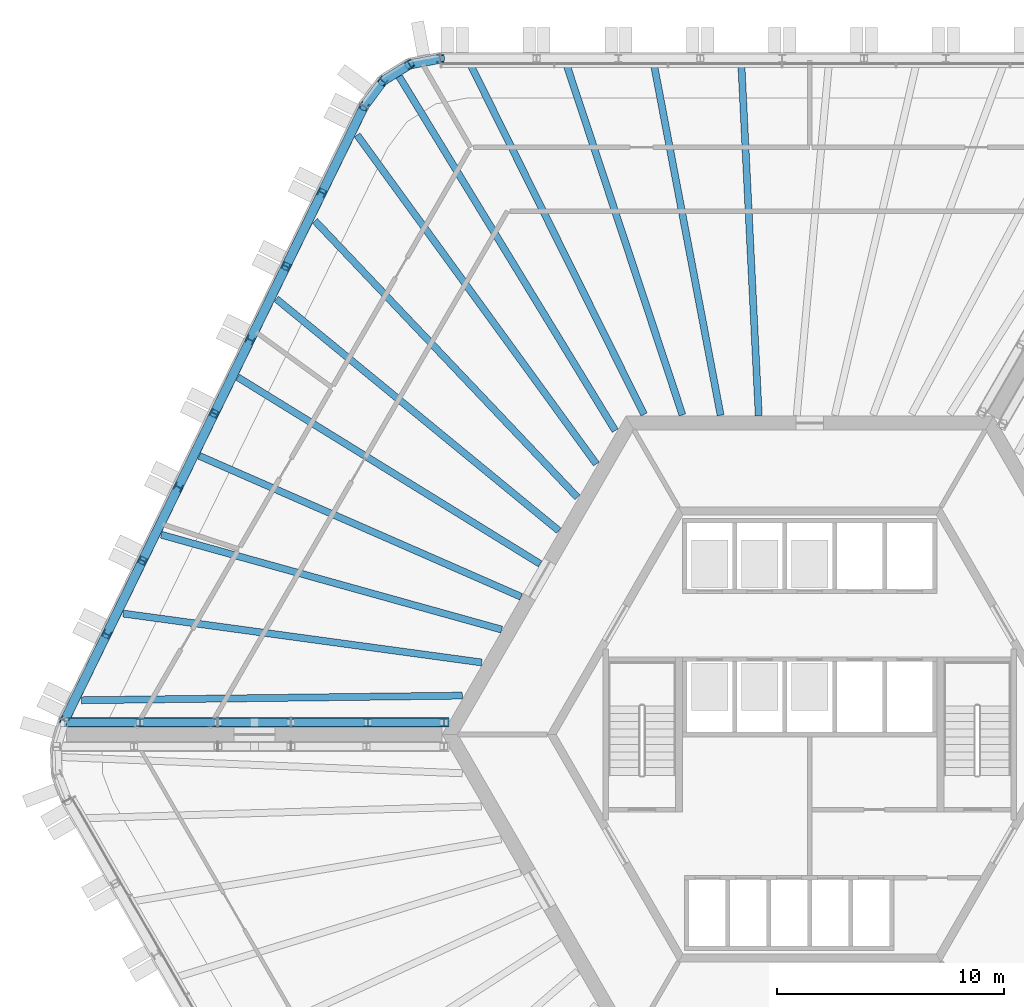
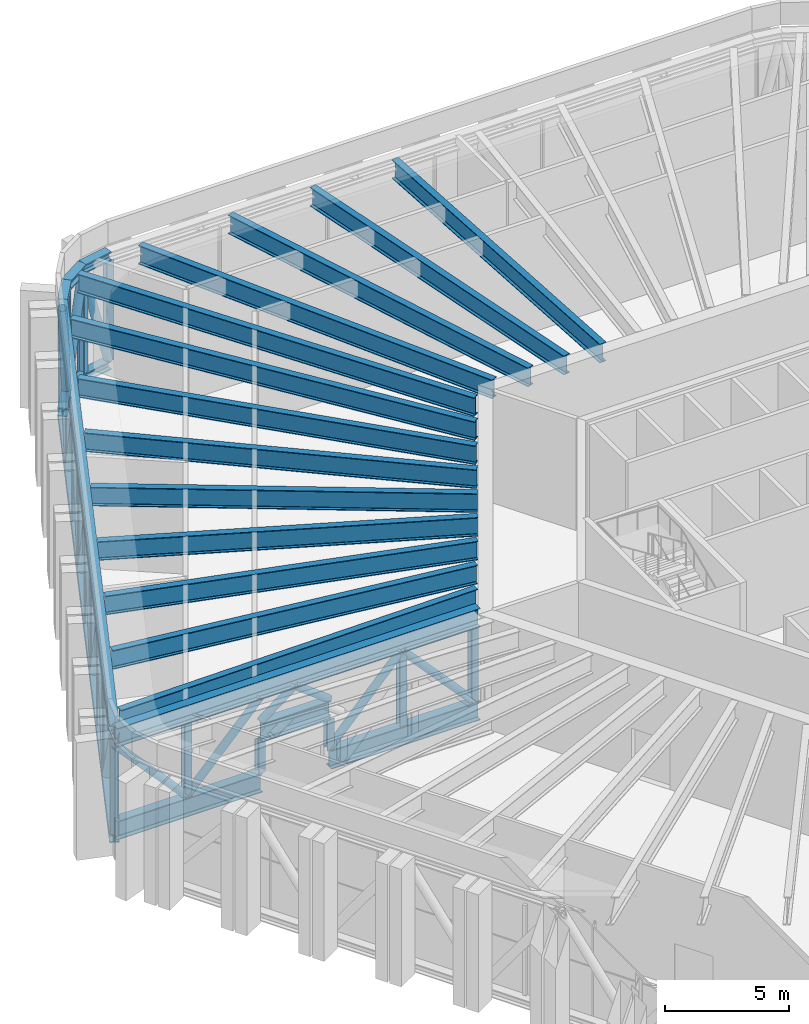
# One storey, part 6 of 27: 46 members, 13 beams.
"""IFC4 building model written with IfcOpenShell, lengths in metres."""

from ifc_helpers import new_model, si_unit, direction, frame, origin, origin_2d, place, context, subcontext, project, spatial, hollow_circle, i_section, extrude, material, material_profile, profile_set, type_object, element, save


model = new_model("IFC4")

# Units and contexts
model_context = context("Model", 3, precision=1e-05, world=origin(), true_north=direction((0.0, 1.0)))
body_context = subcontext(model_context, "Body", "Model", "MODEL_VIEW")
ifc_project = project(units=[si_unit("LENGTHUNIT", "METRE"), si_unit("AREAUNIT", "SQUARE_METRE"), si_unit("VOLUMEUNIT", "CUBIC_METRE"), si_unit("PLANEANGLEUNIT", "RADIAN"), si_unit("MASSUNIT", "GRAM", prefix="KILO")], contexts=[model_context])

# Site, building, storey
site_placement = place(None, origin())
site = spatial("IfcSite", under=ifc_project, at=site_placement, CompositionType="ELEMENT")
building_placement = place(site_placement, origin())
building = spatial("IfcBuilding", under=site, at=building_placement, Name="Tarnside Tower", CompositionType="ELEMENT")
storey_placement = place(building_placement, frame((0.0, 0.0, 146.699951171875)))
storey = spatial("IfcBuildingStorey", under=building, at=storey_placement, Name="L34", CompositionType="ELEMENT", Elevation=146.699951171875)

# Beams
ifc_material_1 = material(Name="Steel S355", Category="steel")
ifc_material_profile_1 = material_profile(ifc_material_1, i_section(OverallWidth=0.3076171875, OverallDepth=0.926513671875, WebThickness=0.01953125, FlangeThickness=0.031982421875, FilletRadius=0.01904296875, at=origin_2d()), Name="UB 914x305x289")
ifc_profile_set_1 = profile_set([ifc_material_profile_1], Name="Steel S355")
beam_type = type_object("IfcBeamType", Name="Floor beam UB 914x305x289", PredefinedType="BEAM", material=ifc_profile_set_1)
beam_1_placement = place(storey_placement, frame((-3.005615234375, 29.498779296875, 5.036865234375), z_axis=(0.049355400529, -0.99878127958, 0.0), x_axis=(0.99878127958, 0.049355400529, 0.0)))
element("IfcBeam", 1, at=beam_1_placement, inside=storey, type_object=beam_type, Name="Floor beam F1.05", PredefinedType="BEAM", context=body_context, shape_type="SweptSolid", body=[
    extrude(i_section(OverallWidth=0.3076171875, OverallDepth=0.926513671875, WebThickness=0.01953125, FlangeThickness=0.031982421875, FilletRadius=0.01904296875, at=origin_2d()), origin(), (0.0, 0.0, 1.0), 15.49755859375),
])
beam_2_placement = place(storey_placement, frame((-6.851318359375, 29.4794921875, 5.036865234375), z_axis=(0.186718067592, -0.982413539827, 0.0), x_axis=(0.982413539827, 0.186718067592, 0.0)))
element("IfcBeam", 2, at=beam_2_placement, inside=storey, type_object=beam_type, Name="Floor beam F1.06", PredefinedType="BEAM", context=body_context, shape_type="SweptSolid", body=[
    extrude(i_section(OverallWidth=0.3076171875, OverallDepth=0.926513671875, WebThickness=0.01953125, FlangeThickness=0.031982421875, FilletRadius=0.01904296875, at=origin_2d()), origin(), (0.0, 0.0, 1.0), 15.716552734375),
])
beam_3_placement = place(storey_placement, frame((-10.6923828125, 29.4619140625, 5.036865234375), z_axis=(0.314006031699, -0.94942098779, 0.0), x_axis=(0.94942098779, 0.314006031699, 0.0)))
element("IfcBeam", 3, at=beam_3_placement, inside=storey, type_object=beam_type, Name="Floor beam F1.07", PredefinedType="BEAM", context=body_context, shape_type="SweptSolid", body=[
    extrude(i_section(OverallWidth=0.3076171875, OverallDepth=0.926513671875, WebThickness=0.01953125, FlangeThickness=0.031982421875, FilletRadius=0.01904296875, at=origin_2d()), origin(), (0.0, 0.0, 1.0), 16.225830078125),
])
beam_4_placement = place(storey_placement, frame((-14.911865234375, 29.447265625, 5.036865234375), z_axis=(0.444434878406, -0.895811162498, 0.0), x_axis=(0.895811162498, 0.444434878406, 0.0)))
element("IfcBeam", 4, at=beam_4_placement, inside=storey, type_object=beam_type, Name="Floor beam F1.08", PredefinedType="BEAM", context=body_context, shape_type="SweptSolid", body=[
    extrude(i_section(OverallWidth=0.3076171875, OverallDepth=0.926513671875, WebThickness=0.01953125, FlangeThickness=0.031982421875, FilletRadius=0.01904296875, at=origin_2d()), origin(), (0.0, 0.0, 1.0), 17.163818359375),
])
beam_5_placement = place(storey_placement, frame((-18.0576171875, 28.94189453125, 5.036865234375), z_axis=(0.520828130632, -0.853661559602, 0.0), x_axis=(0.853661559602, 0.520828130632, 0.0)))
element("IfcBeam", 5, at=beam_5_placement, inside=storey, type_object=beam_type, Name="Floor beam C1", PredefinedType="BEAM", context=body_context, shape_type="SweptSolid", body=[
    extrude(i_section(OverallWidth=0.3076171875, OverallDepth=0.926513671875, WebThickness=0.01953125, FlangeThickness=0.031982421875, FilletRadius=0.01904296875, at=origin_2d()), origin(), (0.0, 0.0, 1.0), 18.25),
])
beam_6_placement = place(storey_placement, frame((-19.904296875, 26.36669921875, 5.036865234375), z_axis=(0.588101108388, -0.808787417257, 0.0), x_axis=(0.808787417257, 0.588101108388, 0.0)))
element("IfcBeam", 6, at=beam_6_placement, inside=storey, type_object=beam_type, Name="Floor beam F2.01", PredefinedType="BEAM", context=body_context, shape_type="SweptSolid", body=[
    extrude(i_section(OverallWidth=0.3076171875, OverallDepth=0.926513671875, WebThickness=0.01953125, FlangeThickness=0.031982421875, FilletRadius=0.01904296875, at=origin_2d()), origin(), (0.0, 0.0, 1.0), 17.891845703125),
])
beam_7_placement = place(storey_placement, frame((-21.760986328125, 22.593017578125, 5.036865234375), z_axis=(0.688559709192, -0.72517965145, 0.0), x_axis=(0.72517965145, 0.688559709192, 0.0)))
element("IfcBeam", 7, at=beam_7_placement, inside=storey, type_object=beam_type, Name="Floor beam F2.02", PredefinedType="BEAM", context=body_context, shape_type="SweptSolid", body=[
    extrude(i_section(OverallWidth=0.3076171875, OverallDepth=0.926513671875, WebThickness=0.01953125, FlangeThickness=0.031982421875, FilletRadius=0.01904296875, at=origin_2d()), origin(), (0.0, 0.0, 1.0), 16.77392578125),
])
beam_8_placement = place(storey_placement, frame((-23.456298828125, 19.156494140625, 5.036865234375), z_axis=(0.773076427447, -0.634312885984, 0.0), x_axis=(0.634312885984, 0.773076427447, 0.0)))
element("IfcBeam", 8, at=beam_8_placement, inside=storey, type_object=beam_type, Name="Floor beam F2.03", PredefinedType="BEAM", context=body_context, shape_type="SweptSolid", body=[
    extrude(i_section(OverallWidth=0.3076171875, OverallDepth=0.926513671875, WebThickness=0.01953125, FlangeThickness=0.031982421875, FilletRadius=0.01904296875, at=origin_2d()), origin(), (0.0, 0.0, 1.0), 16.06689453125),
])
beam_9_placement = place(storey_placement, frame((-25.156982421875, 15.712890625, 5.036865234375), z_axis=(0.850989374136, -0.525182906336, 0.0), x_axis=(0.525182906336, 0.850989374136, 0.0)))
element("IfcBeam", 9, at=beam_9_placement, inside=storey, type_object=beam_type, Name="Floor beam F2.04", PredefinedType="BEAM", context=body_context, shape_type="SweptSolid", body=[
    extrude(i_section(OverallWidth=0.3076171875, OverallDepth=0.926513671875, WebThickness=0.01953125, FlangeThickness=0.031982421875, FilletRadius=0.01904296875, at=origin_2d()), origin(), (0.0, 0.0, 1.0), 15.6298828125),
])
beam_10_placement = place(storey_placement, frame((-26.844482421875, 12.2529296875, 5.036865234375), z_axis=(0.916032890151, -0.401103159001, 0.0), x_axis=(0.401103159001, 0.916032890151, 0.0)))
element("IfcBeam", 10, at=beam_10_placement, inside=storey, type_object=beam_type, Name="Floor beam F2.05", PredefinedType="BEAM", context=body_context, shape_type="SweptSolid", body=[
    extrude(i_section(OverallWidth=0.3076171875, OverallDepth=0.926513671875, WebThickness=0.01953125, FlangeThickness=0.031982421875, FilletRadius=0.01904296875, at=origin_2d()), origin(), (0.0, 0.0, 1.0), 15.44921875),
])
beam_11_placement = place(storey_placement, frame((-28.5146484375, 8.7841796875, 5.036865234375), z_axis=(0.963293588606, -0.268450111102, 0.0), x_axis=(0.268450111102, 0.963293588606, 0.0)))
element("IfcBeam", 11, at=beam_11_placement, inside=storey, type_object=beam_type, Name="Floor beam F2.06", PredefinedType="BEAM", context=body_context, shape_type="SweptSolid", body=[
    extrude(i_section(OverallWidth=0.3076171875, OverallDepth=0.926513671875, WebThickness=0.01953125, FlangeThickness=0.031982421875, FilletRadius=0.01904296875, at=origin_2d()), origin(), (0.0, 0.0, 1.0), 15.537841796875),
])
beam_12_placement = place(storey_placement, frame((-30.186279296875, 5.316650390625, 5.036865234375), z_axis=(0.990831662074, -0.135102248063, 0.0), x_axis=(0.135102248063, 0.990831662074, 0.0)))
element("IfcBeam", 12, at=beam_12_placement, inside=storey, type_object=beam_type, Name="Floor beam F2.07", PredefinedType="BEAM", context=body_context, shape_type="SweptSolid", body=[
    extrude(i_section(OverallWidth=0.3076171875, OverallDepth=0.926513671875, WebThickness=0.01953125, FlangeThickness=0.031982421875, FilletRadius=0.01904296875, at=origin_2d()), origin(), (0.0, 0.0, 1.0), 15.909423828125),
])
beam_13_placement = place(storey_placement, frame((-32.029052734375, 1.505126953125, 5.036865234375), z_axis=(0.999925597942, 0.012198302393, 0.0), x_axis=(-0.012198302393, 0.999925597942, 0.0)))
element("IfcBeam", 13, at=beam_13_placement, inside=storey, type_object=beam_type, Name="Floor beam F2.08", PredefinedType="BEAM", context=body_context, shape_type="SweptSolid", body=[
    extrude(i_section(OverallWidth=0.3076171875, OverallDepth=0.926513671875, WebThickness=0.01953125, FlangeThickness=0.031982421875, FilletRadius=0.01904296875, at=origin_2d()), origin(), (0.0, 0.0, 1.0), 16.751953125),
])

# Members
ifc_material_2 = material(Name="Steel S460", Category="steel")
ifc_material_profile_2 = material_profile(ifc_material_2, i_section(OverallWidth=0.42041015625, OverallDepth=0.9208984375, WebThickness=0.021484375, FlangeThickness=0.03662109375, FilletRadius=0.024169921875, at=origin_2d()), Name="UB 914x419x388")
ifc_profile_set_2 = profile_set([ifc_material_profile_2], Name="Steel S460")
member_type_1 = type_object("IfcMemberType", Name="Outrigger chord UB 914x419x388", PredefinedType="CHORD", material=ifc_profile_set_2)
member_1_placement = place(storey_placement, frame((-15.859619140625, 0.5302734375, 5.03955078125), z_axis=(-1.0, 0.0, 0.0), x_axis=(0.0, -1.0, 0.0)))
element("IfcMember", 14, at=member_1_placement, inside=storey, type_object=member_type_1, Name="Outrigger truss top chord OR2B L34", PredefinedType="CHORD", context=body_context, shape_type="SweptSolid", body=[
    extrude(i_section(OverallWidth=0.42041015625, OverallDepth=0.9208984375, WebThickness=0.021484375, FlangeThickness=0.03662109375, FilletRadius=0.024169921875, at=origin_2d()), origin(), (0.0, 0.0, 1.0), 16.939697265625),
])
member_2_placement = place(storey_placement, frame((-15.859619140625, 0.5302734375, 0.46044921875), z_axis=(-1.0, 0.0, 0.0), x_axis=(0.0, -1.0, 0.0)))
element("IfcMember", 15, at=member_2_placement, inside=storey, type_object=member_type_1, Name="Outrigger truss bottom chord OR2B L34", PredefinedType="CHORD", context=body_context, shape_type="SweptSolid", body=[
    extrude(i_section(OverallWidth=0.42041015625, OverallDepth=0.9208984375, WebThickness=0.021484375, FlangeThickness=0.03662109375, FilletRadius=0.024169921875, at=origin_2d()), origin(), (0.0, 0.0, 1.0), 6.959716796875),
])
member_3_placement = place(storey_placement, frame((-26.021484375, 0.5302734375, 0.46044921875), z_axis=(-1.0, 0.0, 0.0), x_axis=(0.0, -1.0, 0.0)))
element("IfcMember", 16, at=member_3_placement, inside=storey, type_object=member_type_1, Name="Outrigger truss bottom chord OR2B L34", PredefinedType="CHORD", context=body_context, shape_type="SweptSolid", body=[
    extrude(i_section(OverallWidth=0.42041015625, OverallDepth=0.9208984375, WebThickness=0.021484375, FlangeThickness=0.03662109375, FilletRadius=0.024169921875, at=origin_2d()), origin(), (0.0, 0.0, 1.0), 6.77783203125),
])
member_4_placement = place(storey_placement, frame((-22.8193359375, 0.5302734375, 2.91064453125), z_axis=(-1.0, 0.0, 0.0), x_axis=(0.0, -1.0, 0.0)))
element("IfcMember", 17, at=member_4_placement, inside=storey, type_object=member_type_1, Name="Outrigger truss lintel OR2B L34", PredefinedType="CHORD", context=body_context, shape_type="SweptSolid", body=[
    extrude(i_section(OverallWidth=0.42041015625, OverallDepth=0.9208984375, WebThickness=0.021484375, FlangeThickness=0.03662109375, FilletRadius=0.024169921875, at=origin_2d()), origin(), (0.0, 0.0, 1.0), 3.2021484375),
])
ifc_material_profile_3 = material_profile(ifc_material_1, hollow_circle(Radius=0.177734375, WallThickness=0.01611328125, at=origin_2d()), Name="CHS 355.6x16")
ifc_profile_set_3 = profile_set([ifc_material_profile_3], Name="Steel S355")
member_type_2 = type_object("IfcMemberType", Name="Outrigger diagonal CHS 355.6x16", PredefinedType="BRACE", material=ifc_profile_set_3)
member_5_placement = place(storey_placement, frame((-16.08984375, 0.5302734375, 0.921142578125), z_axis=(-0.674507671376, 0.0, 0.738267838427), x_axis=(0.0, -1.0, 0.0)))
element("IfcMember", 18, at=member_5_placement, inside=storey, type_object=member_type_2, Name="Outrigger truss diagonal OR2B 1", PredefinedType="BRACE", context=body_context, shape_type="SweptSolid", body=[
    extrude(hollow_circle(Radius=0.177734375, WallThickness=0.01611328125, at=origin_2d()), origin(), (0.0, 0.0, 1.0), 4.954833984375),
])
member_6_placement = place(storey_placement, frame((-19.431884765625, 0.5302734375, 4.5791015625), z_axis=(-0.67945685519, 0.0, -0.733715463879), x_axis=(0.0, -1.0, 0.0)))
element("IfcMember", 19, at=member_6_placement, inside=storey, type_object=member_type_2, Name="Outrigger truss diagonal OR2B 2", PredefinedType="BRACE", context=body_context, shape_type="SweptSolid", body=[
    extrude(hollow_circle(Radius=0.177734375, WallThickness=0.01611328125, at=origin_2d()), origin(), (0.0, 0.0, 1.0), 4.985595703125),
])
for number, where, z_axis, x_axis, name in (
    (20, (-22.8193359375, 0.5302734375, 3.37109375), (-0.798273071877, 0.0, 0.602295693755), (0.0, -1.0, 0.0), "Outrigger truss diagonal OR2B 3"),
    (21, (-26.021484375, 0.5302734375, 3.37109375), (0.798273071877, 0.0, 0.602295693755), (0.0, 1.0, 0.0), "Outrigger truss diagonal OR2B 4"),
):
    element("IfcMember", number, at=place(storey_placement, frame(where, z_axis=z_axis, x_axis=x_axis)), inside=storey, type_object=member_type_2, Name=name, PredefinedType="BRACE", context=body_context, shape_type="SweptSolid", body=[
        extrude(hollow_circle(Radius=0.177734375, WallThickness=0.01611328125, at=origin_2d()), origin(), (0.0, 0.0, 1.0), 2.005615234375),
    ])
member_7_placement = place(storey_placement, frame((-26.021484375, 0.5302734375, 4.5791015625), z_axis=(-0.684651185482, 0.0, -0.728870876231), x_axis=(0.0, -1.0, 0.0)))
element("IfcMember", 22, at=member_7_placement, inside=storey, type_object=member_type_2, Name="Outrigger truss diagonal OR2B 5", PredefinedType="BRACE", context=body_context, shape_type="SweptSolid", body=[
    extrude(hollow_circle(Radius=0.177734375, WallThickness=0.01611328125, at=origin_2d()), origin(), (0.0, 0.0, 1.0), 5.0185546875),
])
member_8_placement = place(storey_placement, frame((-29.45751953125, 0.5302734375, 0.921142578125), z_axis=(-0.674480813929, 0.0, 0.738292375446), x_axis=(0.0, -1.0, 0.0)))
element("IfcMember", 23, at=member_8_placement, inside=storey, type_object=member_type_2, Name="Outrigger truss diagonal OR2B 6", PredefinedType="BRACE", context=body_context, shape_type="SweptSolid", body=[
    extrude(hollow_circle(Radius=0.177734375, WallThickness=0.01611328125, at=origin_2d()), origin(), (0.0, 0.0, 1.0), 4.95458984375),
])
ifc_material_profile_4 = material_profile(ifc_material_1, i_section(OverallWidth=0.314453125, OverallDepth=0.33984375, WebThickness=0.01904296875, FlangeThickness=0.031494140625, FilletRadius=0.01513671875, at=origin_2d()), Name="UC 305x305x198")
ifc_profile_set_4 = profile_set([ifc_material_profile_4], Name="Steel S355")
member_type_3 = type_object("IfcMemberType", Name="Outrigger post UC 305x305x198", PredefinedType="POST", material=ifc_profile_set_4)
for number, where, z_axis, x_axis, name in (
    (24, (-16.08984375, 0.5302734375, 0.921142578125), (0.0, 0.0, 1.0), (-1.0, 0.0, 0.0), "Outrigger truss post OR2B 1"),
    (25, (-19.431884765625, 0.5302734375, 0.921142578125), (0.0, 0.0, 1.0), (-1.0, 0.0, 0.0), "Outrigger truss post OR2B 2"),
):
    element("IfcMember", number, at=place(storey_placement, frame(where, z_axis=z_axis, x_axis=x_axis)), inside=storey, type_object=member_type_3, Name=name, PredefinedType="POST", context=body_context, shape_type="SweptSolid", body=[
        extrude(i_section(OverallWidth=0.314453125, OverallDepth=0.33984375, WebThickness=0.01904296875, FlangeThickness=0.031494140625, FilletRadius=0.01513671875, at=origin_2d()), origin(), (0.0, 0.0, 1.0), 3.657958984375),
    ])
for number, where, z_axis, x_axis, name in (
    (26, (-22.8193359375, 0.5302734375, 0.921142578125), (0.0, 0.0, 1.0), (-1.0, 0.0, 0.0), "Outrigger truss post OR2B 3"),
    (27, (-26.021484375, 0.5302734375, 0.921142578125), (0.0, 0.0, 1.0), (-1.0, 0.0, 0.0), "Outrigger truss post OR2B 4"),
):
    element("IfcMember", number, at=place(storey_placement, frame(where, z_axis=z_axis, x_axis=x_axis)), inside=storey, type_object=member_type_3, Name=name, PredefinedType="POST", context=body_context, shape_type="SweptSolid", body=[
        extrude(i_section(OverallWidth=0.314453125, OverallDepth=0.33984375, WebThickness=0.01904296875, FlangeThickness=0.031494140625, FilletRadius=0.01513671875, at=origin_2d()), origin(), (0.0, 0.0, 1.0), 1.52880859375),
    ])
member_9_placement = place(storey_placement, frame((-29.45751953125, 0.5302734375, 0.921142578125), z_axis=(0.0, 0.0, 1.0), x_axis=(-1.0, 0.0, 0.0)))
element("IfcMember", 28, at=member_9_placement, inside=storey, type_object=member_type_3, Name="Outrigger truss post OR2B 5", PredefinedType="POST", context=body_context, shape_type="SweptSolid", body=[
    extrude(i_section(OverallWidth=0.314453125, OverallDepth=0.33984375, WebThickness=0.01904296875, FlangeThickness=0.031494140625, FilletRadius=0.01513671875, at=origin_2d()), origin(), (0.0, 0.0, 1.0), 3.657958984375),
])
ifc_material_profile_5 = material_profile(ifc_material_1, i_section(OverallWidth=0.406982421875, OverallDepth=0.4189453125, WebThickness=0.030517578125, FlangeThickness=0.04931640625, FilletRadius=0.01513671875, at=origin_2d()), Name="UC 356x406x393")
ifc_profile_set_5 = profile_set([ifc_material_profile_5], Name="Steel S355")
member_type_4 = type_object("IfcMemberType", Name="Truss chord UC 356x406x393", PredefinedType="CHORD", material=ifc_profile_set_5)
member_10_placement = place(storey_placement, frame((-16.24658203125, 29.72509765625, -0.09033203125), z_axis=(-0.982705443133, -0.185175624845, 0.0), x_axis=(0.185175624845, -0.982705443133, 0.0)))
element("IfcMember", 29, at=member_10_placement, inside=storey, type_object=member_type_4, Name="Belt truss bottom chord L34 corner1.1", PredefinedType="CHORD", context=body_context, shape_type="SweptSolid", body=[
    extrude(i_section(OverallWidth=0.406982421875, OverallDepth=0.4189453125, WebThickness=0.030517578125, FlangeThickness=0.04931640625, FilletRadius=0.01513671875, at=origin_2d()), origin(), (0.0, 0.0, 1.0), 1.379150390625),
])
for number, where, z_axis, x_axis, name in (
    (30, (-17.601806640625, 29.4697265625, -0.09033203125), (-0.848057977594, -0.5299034503, 0.0), (0.5299034503, -0.848057977594, 0.0), "Belt truss bottom chord L34 corner1.2"),
    (31, (-18.771240234375, 28.739013671875, -0.09033203125), (-0.597021369006, -0.802225333027, 0.0), (0.802225333027, -0.597021369006, 0.0), "Belt truss bottom chord L34 corner1.3"),
):
    element("IfcMember", number, at=place(storey_placement, frame(where, z_axis=z_axis, x_axis=x_axis)), inside=storey, type_object=member_type_4, Name=name, PredefinedType="CHORD", context=body_context, shape_type="SweptSolid", body=[
        extrude(i_section(OverallWidth=0.406982421875, OverallDepth=0.4189453125, WebThickness=0.030517578125, FlangeThickness=0.04931640625, FilletRadius=0.01513671875, at=origin_2d()), origin(), (0.0, 0.0, 1.0), 1.37890625),
    ])
member_11_placement = place(storey_placement, frame((-19.594482421875, 27.6328125, -0.09033203125), z_axis=(-0.438374844422, -0.898792242833, 0.0), x_axis=(0.898792242833, -0.438374844422, 0.0)))
element("IfcMember", 32, at=member_11_placement, inside=storey, type_object=member_type_4, Name="Belt truss bottom chord L34 run", PredefinedType="CHORD", context=body_context, shape_type="SweptSolid", body=[
    extrude(i_section(OverallWidth=0.406982421875, OverallDepth=0.4189453125, WebThickness=0.030517578125, FlangeThickness=0.04931640625, FilletRadius=0.01513671875, at=origin_2d()), origin(), (0.0, 0.0, 1.0), 30.071044921875),
])
ifc_material_profile_6 = material_profile(ifc_material_2, i_section(OverallWidth=0.412109375, OverallDepth=0.4365234375, WebThickness=0.035888671875, FlangeThickness=0.05810546875, FilletRadius=0.01513671875, at=origin_2d()), Name="UC 356x406x467")
ifc_profile_set_6 = profile_set([ifc_material_profile_6], Name="Steel S460")
member_type_5 = type_object("IfcMemberType", Name="Truss chord UC 356x406x467", PredefinedType="CHORD", material=ifc_profile_set_6)
member_12_placement = place(storey_placement, frame((-16.24658203125, 29.72509765625, 5.28173828125), z_axis=(-0.982705443133, -0.185175624845, 0.0), x_axis=(0.185175624845, -0.982705443133, 0.0)))
element("IfcMember", 33, at=member_12_placement, inside=storey, type_object=member_type_5, Name="Belt truss top chord L34 corner1.1", PredefinedType="CHORD", context=body_context, shape_type="SweptSolid", body=[
    extrude(i_section(OverallWidth=0.412109375, OverallDepth=0.4365234375, WebThickness=0.035888671875, FlangeThickness=0.05810546875, FilletRadius=0.01513671875, at=origin_2d()), origin(), (0.0, 0.0, 1.0), 1.379150390625),
])
for number, where, z_axis, x_axis, name in (
    (34, (-17.601806640625, 29.4697265625, 5.28173828125), (-0.848057977594, -0.5299034503, 0.0), (0.5299034503, -0.848057977594, 0.0), "Belt truss top chord L34 corner1.2"),
    (35, (-18.771240234375, 28.739013671875, 5.28173828125), (-0.597021369006, -0.802225333027, 0.0), (0.802225333027, -0.597021369006, 0.0), "Belt truss top chord L34 corner1.3"),
):
    element("IfcMember", number, at=place(storey_placement, frame(where, z_axis=z_axis, x_axis=x_axis)), inside=storey, type_object=member_type_5, Name=name, PredefinedType="CHORD", context=body_context, shape_type="SweptSolid", body=[
        extrude(i_section(OverallWidth=0.412109375, OverallDepth=0.4365234375, WebThickness=0.035888671875, FlangeThickness=0.05810546875, FilletRadius=0.01513671875, at=origin_2d()), origin(), (0.0, 0.0, 1.0), 1.37890625),
    ])
member_13_placement = place(storey_placement, frame((-19.594482421875, 27.6328125, 5.28173828125), z_axis=(-0.438374844422, -0.898792242833, 0.0), x_axis=(0.898792242833, -0.438374844422, 0.0)))
element("IfcMember", 36, at=member_13_placement, inside=storey, type_object=member_type_5, Name="Belt truss top chord L34 run", PredefinedType="CHORD", context=body_context, shape_type="SweptSolid", body=[
    extrude(i_section(OverallWidth=0.412109375, OverallDepth=0.4365234375, WebThickness=0.035888671875, FlangeThickness=0.05810546875, FilletRadius=0.01513671875, at=origin_2d()), origin(), (0.0, 0.0, 1.0), 30.071044921875),
])
ifc_material_profile_7 = material_profile(ifc_material_1, hollow_circle(Radius=0.203125, WallThickness=0.01611328125, at=origin_2d()), Name="CHS 406.4x16")
ifc_profile_set_7 = profile_set([ifc_material_profile_7], Name="Steel S355")
member_type_6 = type_object("IfcMemberType", Name="Truss diagonal CHS 406.4x16", PredefinedType="BRACE", material=ifc_profile_set_7)
for number, where, z_axis, x_axis, name in (
    (37, (-16.24658203125, 29.72509765625, 0.119140625), (-0.264018846987, -0.049750263727, 0.963233595601), (0.185175624845, -0.982705443133, 0.0), "Belt truss diagonal L34 9"),
    (38, (-17.601806640625, 29.4697265625, 5.0634765625), (-0.22782530027, -0.142355140649, -0.96323966202), (0.5299034503, -0.848057977594, 0.0), "Belt truss diagonal L34 10"),
    (39, (-18.771240234375, 28.739013671875, 0.119140625), (-0.160381728621, -0.215507002485, 0.963241627529), (0.802225333027, -0.597021369006, 0.0), "Belt truss diagonal L34 11"),
):
    element("IfcMember", number, at=place(storey_placement, frame(where, z_axis=z_axis, x_axis=x_axis)), inside=storey, type_object=member_type_6, Name=name, PredefinedType="BRACE", context=body_context, shape_type="SweptSolid", body=[
        extrude(hollow_circle(Radius=0.203125, WallThickness=0.01611328125, at=origin_2d()), origin(), (0.0, 0.0, 1.0), 5.133056640625),
    ])
member_14_placement = place(storey_placement, frame((-19.594482421875, 27.6328125, 5.0634765625), z_axis=(-0.285226184672, -0.58470242853, -0.759453154348), x_axis=(0.898765121675, -0.438430446092, 0.0)))
element("IfcMember", 40, at=member_14_placement, inside=storey, type_object=member_type_6, Name="Belt truss diagonal L34 12", PredefinedType="BRACE", context=body_context, shape_type="SweptSolid", body=[
    extrude(hollow_circle(Radius=0.203125, WallThickness=0.01611328125, at=origin_2d()), origin(), (0.0, 0.0, 1.0), 6.510498046875),
])
member_15_placement = place(storey_placement, frame((-21.451416015625, 23.826171875, 0.119140625), z_axis=(-0.258024830222, -0.529062670137, 0.808403289242), x_axis=(0.89880494014, -0.438348810402, 0.0)))
element("IfcMember", 41, at=member_15_placement, inside=storey, type_object=member_type_6, Name="Belt truss diagonal L34 13", PredefinedType="BRACE", context=body_context, shape_type="SweptSolid", body=[
    extrude(hollow_circle(Radius=0.203125, WallThickness=0.01611328125, at=origin_2d()), origin(), (0.0, 0.0, 1.0), 6.1162109375),
])
for number, where, z_axis, x_axis, name in (
    (42, (-23.029541015625, 20.59033203125, 5.0634765625), (-0.258030279339, -0.529033925137, -0.808420361569), (0.898791908536, -0.438375529826, 0.0), "Belt truss diagonal L34 14"),
    (43, (-24.607666015625, 17.354736328125, 0.119140625), (-0.258030279339, -0.529033925137, 0.808420361569), (0.898791908536, -0.438375529826, 0.0), "Belt truss diagonal L34 15"),
    (44, (-26.185791015625, 14.119140625, 5.0634765625), (-0.258030279339, -0.529033925137, -0.808420361569), (0.898791908536, -0.438375529826, 0.0), "Belt truss diagonal L34 16"),
):
    element("IfcMember", number, at=place(storey_placement, frame(where, z_axis=z_axis, x_axis=x_axis)), inside=storey, type_object=member_type_6, Name=name, PredefinedType="BRACE", context=body_context, shape_type="SweptSolid", body=[
        extrude(hollow_circle(Radius=0.203125, WallThickness=0.01611328125, at=origin_2d()), origin(), (0.0, 0.0, 1.0), 6.115966796875),
    ])
member_16_placement = place(storey_placement, frame((-27.763916015625, 10.883544921875, 0.119140625), z_axis=(-0.258024830222, -0.529062670137, 0.808403289242), x_axis=(0.89880494014, -0.438348810402, 0.0)))
element("IfcMember", 45, at=member_16_placement, inside=storey, type_object=member_type_6, Name="Belt truss diagonal L34 17", PredefinedType="BRACE", context=body_context, shape_type="SweptSolid", body=[
    extrude(hollow_circle(Radius=0.203125, WallThickness=0.01611328125, at=origin_2d()), origin(), (0.0, 0.0, 1.0), 6.1162109375),
])
member_17_placement = place(storey_placement, frame((-29.342041015625, 7.647705078125, 5.0634765625), z_axis=(-0.258030279339, -0.529033925137, -0.808420361569), x_axis=(0.898791908536, -0.438375529826, 0.0)))
element("IfcMember", 46, at=member_17_placement, inside=storey, type_object=member_type_6, Name="Belt truss diagonal L34 18", PredefinedType="BRACE", context=body_context, shape_type="SweptSolid", body=[
    extrude(hollow_circle(Radius=0.203125, WallThickness=0.01611328125, at=origin_2d()), origin(), (0.0, 0.0, 1.0), 6.115966796875),
])
member_18_placement = place(storey_placement, frame((-30.920166015625, 4.412109375, 0.119140625), z_axis=(-0.285185481384, -0.584733361107, 0.759444624456), x_axis=(0.898798912141, -0.438361170194, 0.0)))
element("IfcMember", 47, at=member_18_placement, inside=storey, type_object=member_type_6, Name="Belt truss diagonal L34 19", PredefinedType="BRACE", context=body_context, shape_type="SweptSolid", body=[
    extrude(hollow_circle(Radius=0.203125, WallThickness=0.01611328125, at=origin_2d()), origin(), (0.0, 0.0, 1.0), 6.510498046875),
])
ifc_material_profile_8 = material_profile(ifc_material_1, i_section(OverallWidth=0.314453125, OverallDepth=0.33984375, WebThickness=0.01904296875, FlangeThickness=0.031494140625, FilletRadius=0.01513671875, at=origin_2d()), Name="UC 305x305x198")
ifc_profile_set_8 = profile_set([ifc_material_profile_8], Name="Steel S355")
member_type_7 = type_object("IfcMemberType", Name="Truss post UC 305x305x198", PredefinedType="POST", material=ifc_profile_set_8)
for number, where, z_axis, x_axis, name in (
    (48, (-16.24658203125, 29.72509765625, 0.119140625), (0.0, 0.0, 1.0), (-1.0, 0.0, 0.0), "Belt truss post L34 9"),
    (49, (-17.601806640625, 29.4697265625, 0.119140625), (0.0, 0.0, 1.0), (-0.848048096156, -0.529919264233, 0.0), "Belt truss post L34 10"),
    (50, (-18.771240234375, 28.739013671875, 0.119140625), (0.0, 0.0, 1.0), (-0.597158591707, -0.802123192752, 0.0), "Belt truss post L34 11"),
    (51, (-19.594482421875, 27.6328125, 0.119140625), (0.0, 0.0, 1.0), (-0.438371146789, -0.898794046299, 0.0), "Belt truss post L34 12"),
    (52, (-21.451416015625, 23.826171875, 0.119140625), (0.0, 0.0, 1.0), (-0.438371146789, -0.898794046299, 0.0), "Belt truss post L34 13"),
    (53, (-23.029541015625, 20.59033203125, 0.119140625), (0.0, 0.0, 1.0), (-0.438371146789, -0.898794046299, 0.0), "Belt truss post L34 14"),
    (54, (-24.607666015625, 17.354736328125, 0.119140625), (0.0, 0.0, 1.0), (-0.438371146789, -0.898794046299, 0.0), "Belt truss post L34 15"),
    (55, (-26.185791015625, 14.119140625, 0.119140625), (0.0, 0.0, 1.0), (-0.438371146789, -0.898794046299, 0.0), "Belt truss post L34 16"),
    (56, (-27.763916015625, 10.883544921875, 0.119140625), (0.0, 0.0, 1.0), (-0.438371146789, -0.898794046299, 0.0), "Belt truss post L34 17"),
    (57, (-29.342041015625, 7.647705078125, 0.119140625), (0.0, 0.0, 1.0), (-0.438371146789, -0.898794046299, 0.0), "Belt truss post L34 18"),
    (58, (-30.920166015625, 4.412109375, 0.119140625), (0.0, 0.0, 1.0), (-0.438371146789, -0.898794046299, 0.0), "Belt truss post L34 19"),
    (59, (-32.77685546875, 0.605224609375, 0.119140625), (0.0, 0.0, 1.0), (-0.438371146789, -0.898794046299, 0.0), "Belt truss post L34 20"),
):
    element("IfcMember", number, at=place(storey_placement, frame(where, z_axis=z_axis, x_axis=x_axis)), inside=storey, type_object=member_type_7, Name=name, PredefinedType="POST", context=body_context, shape_type="SweptSolid", body=[
        extrude(i_section(OverallWidth=0.314453125, OverallDepth=0.33984375, WebThickness=0.01904296875, FlangeThickness=0.031494140625, FilletRadius=0.01513671875, at=origin_2d()), origin(), (0.0, 0.0, 1.0), 4.9443359375),
    ])

save(model, "model.ifc")
